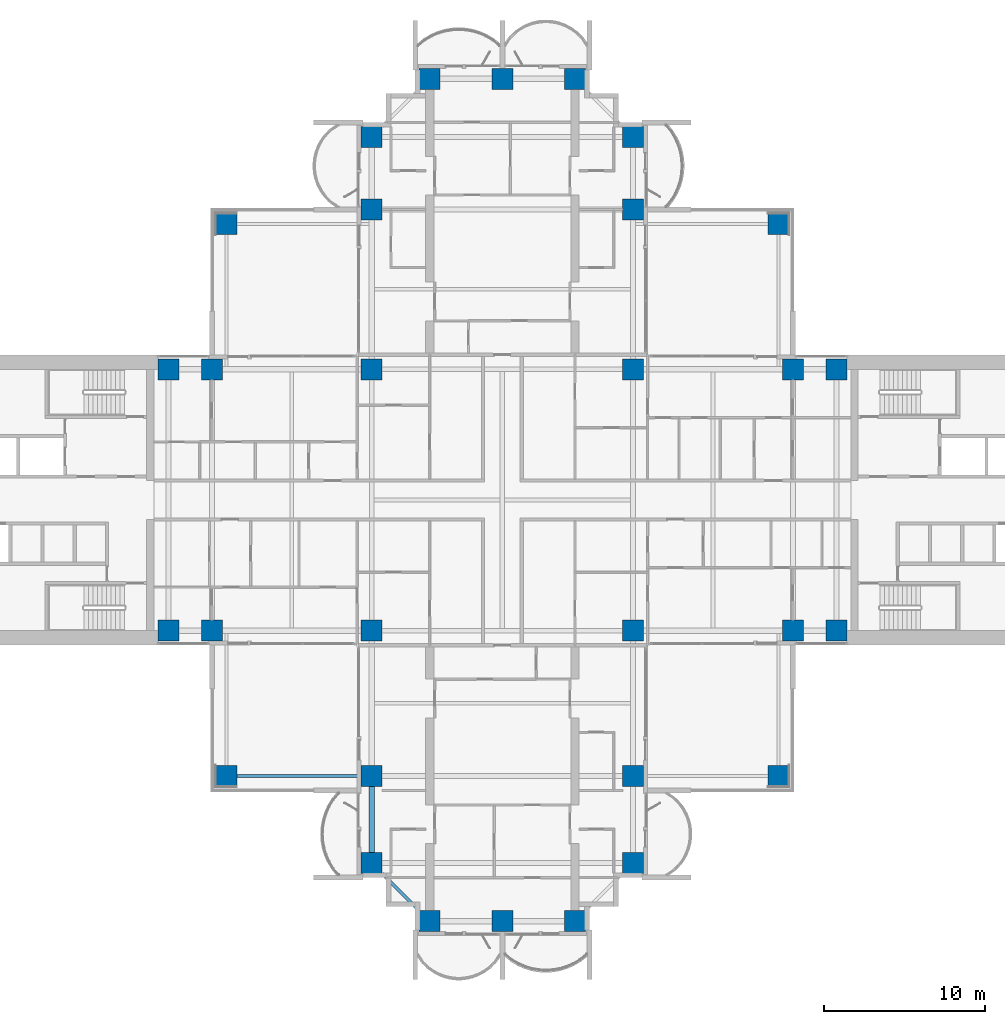
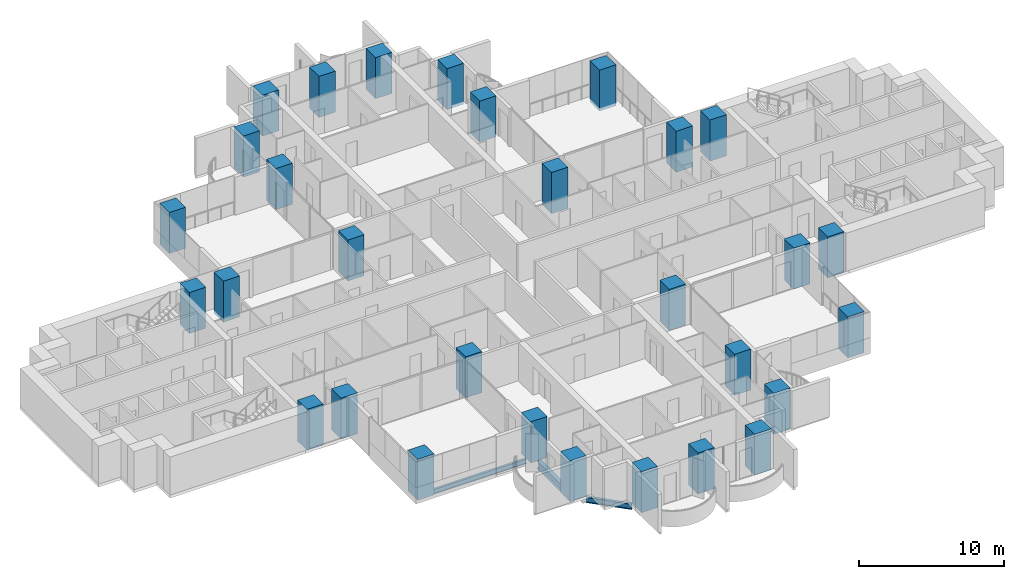
# One storey, part 1 of 21: 30 columns, 3 beams.
"""IFC4 building model written with IfcOpenShell, lengths in metres."""

import ifcopenshell
import ifcopenshell.guid

model = None  # the IFC model being written
_history = None  # IfcOwnerHistory: only IFC2X3 demands one
_inside = {}  # id of a spatial element -> (the spatial element, [elements in it])
_under = {}  # id of a project, library or spatial element -> (it, [spatial elements below it])
_declared = {}  # id of a project -> (the project, [libraries it declares])
_typed = {}  # id of a type object -> (the type object, [elements of that type])
_made_of = {}  # id of a material, layer set ... -> (it, [elements and type objects made of it])


def new_model(schema):
    """Start an empty IFC model of exactly this schema.

    Asked for "IFC4X3", IfcOpenShell would pick the latest addendum, in which some entities
    have other attributes; the version numbers below select the first issue.
    IFC2X3 requires an IfcOwnerHistory on every rooted entity: one is made here for all.
    """
    global model, _history
    if schema == "IFC4X3":
        model = ifcopenshell.file(schema_version=(4, 3, 0, 0))
    else:
        model = ifcopenshell.file(schema=schema)
    _inside.clear()
    _under.clear()
    _declared.clear()
    _typed.clear()
    _made_of.clear()
    _history = None
    if model.schema == "IFC2X3":
        org = make("IfcOrganization", Name="unknown")
        user = make(
            "IfcPersonAndOrganization",
            ThePerson=make("IfcPerson", FamilyName="unknown"),
            TheOrganization=org,
        )
        app = make(
            "IfcApplication",
            ApplicationDeveloper=org,
            Version="unknown",
            ApplicationFullName="unknown",
            ApplicationIdentifier="unknown",
        )
        _history = make(
            "IfcOwnerHistory",
            OwningUser=user,
            OwningApplication=app,
            ChangeAction="ADDED",
            CreationDate=0,
        )
    return model


def make(cls, **values):
    """One entity of the class cls with the attributes given. An attribute that is None is left unset."""
    return model.create_entity(
        cls, **{name: value for name, value in values.items() if value is not None}
    )


def rooted(cls, **values):
    """An entity with a GlobalId (a new one), such as an element, a storey or a relation."""
    return make(cls, GlobalId=ifcopenshell.guid.new(), OwnerHistory=_history, **values)


def si_unit(unit_type, name, prefix=None):
    """IfcSIUnit, for example si_unit("LENGTHUNIT", "METRE", prefix="MILLI")."""
    return make("IfcSIUnit", UnitType=unit_type, Prefix=prefix, Name=name)


def assignment(units):
    """IfcUnitAssignment: the units of a project."""
    return None if units is None else make("IfcUnitAssignment", Units=units)


def point(xyz):
    """IfcCartesianPoint."""
    return None if xyz is None else make("IfcCartesianPoint", Coordinates=xyz)


def direction(xyz):
    """IfcDirection."""
    return None if xyz is None else make("IfcDirection", DirectionRatios=xyz)


def frame(location, z_axis=None, x_axis=None):
    """IfcAxis2Placement3D, a coordinate frame: its origin and axes. An axis left out is left unset."""
    return make(
        "IfcAxis2Placement3D",
        Location=point(location),
        Axis=direction(z_axis),
        RefDirection=direction(x_axis),
    )


def frame_2d(location, x_axis=None):
    """IfcAxis2Placement2D, a coordinate frame in the plane: its origin and x axis."""
    return make(
        "IfcAxis2Placement2D", Location=point(location), RefDirection=direction(x_axis)
    )


def origin():
    """The frame at (0, 0, 0) with its axes left unset."""
    return frame((0.0, 0.0, 0.0))


def origin_2d():
    """The frame at (0, 0) in the plane with its x axis left unset."""
    return frame_2d((0.0, 0.0))


def place(relative_to, where):
    """IfcLocalPlacement: puts the frame where relative to a parent placement (None: the world)."""
    return make(
        "IfcLocalPlacement", PlacementRelTo=relative_to, RelativePlacement=where
    )


def context(
    kind, dimensions, precision=None, world=None, true_north=None, identifier=None
):
    """IfcGeometricRepresentationContext, for example the 3D "Model" context."""
    return make(
        "IfcGeometricRepresentationContext",
        ContextIdentifier=identifier,
        ContextType=kind,
        CoordinateSpaceDimension=dimensions,
        Precision=precision,
        WorldCoordinateSystem=world,
        TrueNorth=true_north,
    )


def subcontext(parent, identifier, kind, view, scale=None):
    """IfcGeometricRepresentationSubContext, for example "Body" below "Model"."""
    return make(
        "IfcGeometricRepresentationSubContext",
        ContextIdentifier=identifier,
        ContextType=kind,
        ParentContext=parent,
        TargetScale=scale,
        TargetView=view,
    )


def project(units=None, contexts=None):
    """IfcProject with its units and contexts."""
    return rooted(
        "IfcProject",
        Name="project",
        RepresentationContexts=contexts,
        UnitsInContext=assignment(units),
    )


def spatial(cls, under=None, at=None, **own):
    """A site, building, storey or space (cls), placed at a placement, below another one or the project."""
    s = rooted(cls, ObjectPlacement=at, **own)
    if under is not None:
        _under.setdefault(under.id(), (under, []))[1].append(s)
    return s


def profile(cls, at=None, kind="AREA", **sizes):
    """A parametric profile (cls). Its sizes go by their IFC names, for example OverallWidth=200.0."""
    return make(cls, ProfileType=kind, Position=at, **sizes)


def rectangle(**sizes):
    """IfcRectangleProfileDef."""
    return profile("IfcRectangleProfileDef", **sizes)


def i_section(**sizes):
    """IfcIShapeProfileDef."""
    return profile("IfcIShapeProfileDef", **sizes)


def extrude(swept, where, along, depth):
    """IfcExtrudedAreaSolid: the profile swept, set in the frame where, extruded along a direction by depth."""
    return make(
        "IfcExtrudedAreaSolid",
        SweptArea=swept,
        Position=where,
        ExtrudedDirection=direction(along),
        Depth=depth,
    )


def shape(context_of_items, identifier, shape_type, items):
    """IfcShapeRepresentation: the items that make up one representation, for example the "Body"."""
    return make(
        "IfcShapeRepresentation",
        ContextOfItems=context_of_items,
        RepresentationIdentifier=identifier,
        RepresentationType=shape_type,
        Items=items,
    )


def material(Name=None, Category=None):
    """IfcMaterial."""
    return make("IfcMaterial", Name=Name, Category=Category)


def material_profile(
    of_material, cross_section, Name=None, Category=None, Priority=None
):
    """IfcMaterialProfile: a cross section and its material."""
    return make(
        "IfcMaterialProfile",
        Name=Name,
        Material=of_material,
        Profile=cross_section,
        Priority=Priority,
        Category=Category,
    )


def profile_set(profiles, Name=None, composite=None):
    """IfcMaterialProfileSet."""
    return make(
        "IfcMaterialProfileSet",
        Name=Name,
        MaterialProfiles=profiles,
        CompositeProfile=composite,
    )


def made_of(thing, what):
    """Note that an element or type object is made of a material, layer set ...; save() writes the relation."""
    if what is not None:
        _made_of.setdefault(what.id(), (what, []))[1].append(thing)
    return thing


def type_object(cls, material=None, **own):
    """A type object (cls), such as IfcWallType, which elements share."""
    return made_of(rooted(cls, **own), material)


def element(
    cls,
    number,
    at=None,
    inside=None,
    cuts=None,
    type_object=None,
    material=None,
    context=None,
    identifier="Body",
    shape_type=None,
    held_by="IfcProductDefinitionShape",
    body=None,
    shapes=None,
    **own,
):
    """One element of the class cls, such as IfcWall. Its Tag is "e" and its number.

    at: its placement. inside: the storey or other place that contains it. cuts: it is an
    opening in that element (IfcRelVoidsElement). A single representation is given by context,
    identifier, shape_type and body (its items); several are given by shapes. held_by: the class
    of the entity that holds the representations. save() writes the other relations.
    """
    e = rooted(cls, Tag="e%d" % number, ObjectPlacement=at, **own)
    if body is not None:
        shapes = [shape(context, identifier, shape_type, body)]
    if shapes is not None:
        e.Representation = make(held_by, Representations=shapes)
    if inside is not None:
        _inside.setdefault(inside.id(), (inside, []))[1].append(e)
    if cuts is not None:
        rooted(
            "IfcRelVoidsElement", RelatingBuildingElement=cuts, RelatedOpeningElement=e
        )
    if type_object is not None:
        _typed.setdefault(type_object.id(), (type_object, []))[1].append(e)
    return made_of(e, material)


def aggregate(whole, parts):
    """IfcRelAggregates: a whole, such as a stair, and the parts it consists of."""
    return rooted("IfcRelAggregates", RelatingObject=whole, RelatedObjects=parts)


def save(model, path):
    """Write the relations noted so far, then the file.

    IfcRelAggregates (storeys below a building ...), IfcRelContainedInSpatialStructure (elements
    in a storey), IfcRelDefinesByType, IfcRelAssociatesMaterial and IfcRelDeclares: one each for
    every whole, place, type object, material and project.
    """
    for whole, parts in _under.values():
        aggregate(whole, parts)
    for where, things in _inside.values():
        rooted(
            "IfcRelContainedInSpatialStructure",
            RelatedElements=things,
            RelatingStructure=where,
        )
    for kind, things in _typed.values():
        rooted("IfcRelDefinesByType", RelatedObjects=things, RelatingType=kind)
    for what, things in _made_of.values():
        rooted("IfcRelAssociatesMaterial", RelatedObjects=things, RelatingMaterial=what)
    for by, libraries in _declared.values():
        rooted("IfcRelDeclares", RelatingContext=by, RelatedDefinitions=libraries)
    model.write(path)


model = new_model("IFC4")

# Units and contexts
model_context = context("Model", 3, precision=1e-05, world=origin(), true_north=direction((0.0, 1.0)))
body_context = subcontext(model_context, "Body", "Model", "MODEL_VIEW")
ifc_project = project(units=[si_unit("LENGTHUNIT", "METRE"), si_unit("AREAUNIT", "SQUARE_METRE"), si_unit("VOLUMEUNIT", "CUBIC_METRE"), si_unit("PLANEANGLEUNIT", "RADIAN"), si_unit("MASSUNIT", "GRAM", prefix="KILO")], contexts=[model_context])

# Site, building, storey
site_placement = place(None, origin())
site = spatial("IfcSite", under=ifc_project, at=site_placement, CompositionType="ELEMENT")
building_placement = place(site_placement, origin())
building = spatial("IfcBuilding", under=site, at=building_placement, Name="Perihelion Cross Residences", CompositionType="ELEMENT")
storey_placement = place(building_placement, frame((0.0, 0.0, 89.0)))
storey = spatial("IfcBuildingStorey", under=building, at=storey_placement, Name="L20", CompositionType="ELEMENT", Elevation=89.0)

# Columns
ifc_material_1 = material(Name="Concrete C70/85", Category="concrete")
ifc_material_profile_1 = material_profile(ifc_material_1, rectangle(XDim=1.300048828125, YDim=1.300048828125, at=origin_2d()), Name="RC 1300x1300")
ifc_profile_set_1 = profile_set([ifc_material_profile_1], Name="Concrete C70/85")
column_type = type_object("IfcColumnType", Name="Reinforced concrete column 1300x1300 C70/85", PredefinedType="COLUMN", material=ifc_profile_set_1)
for number, where, z_axis, x_axis, name in (
    (1, (-20.699951171875, -8.10009765625, -0.25), (0.0, 0.0, 1.0), (1.0, 0.0, 0.0), "Column C017 L20 no. 1"),
    (2, (-20.699951171875, 8.10009765625, -0.25), (0.0, 0.0, 1.0), (1.0, 0.0, 0.0), "Column C010 L20 no. 1"),
    (3, (-18.0, -8.10009765625, -0.25), (0.0, 0.0, 1.0), (1.0, 0.0, 0.0), "Column C018 L20 no. 1"),
    (4, (-18.0, 8.10009765625, -0.25), (0.0, 0.0, 1.0), (1.0, 0.0, 0.0), "Column C011 L20 no. 1"),
    (5, (-8.10009765625, -22.5, -0.25), (0.0, 0.0, 1.0), (1.0, 0.0, 0.0), "Column C040 L20 no. 1"),
    (6, (-8.10009765625, -17.10009765625, -0.25), (0.0, 0.0, 1.0), (1.0, 0.0, 0.0), "Column C031 L20 no. 1"),
    (7, (-8.10009765625, -8.10009765625, -0.25), (0.0, 0.0, 1.0), (1.0, 0.0, 0.0), "Column C019 L20 no. 1"),
    (8, (-8.10009765625, 8.10009765625, -0.25), (0.0, 0.0, 1.0), (1.0, 0.0, 0.0), "Column C012 L20 no. 1"),
    (9, (-8.10009765625, 18.0, -0.25), (0.0, 0.0, 1.0), (1.0, 0.0, 0.0), "Column C006 L20 no. 1"),
    (10, (-8.10009765625, 22.5, -0.25), (0.0, 0.0, 1.0), (1.0, 0.0, 0.0), "Column C004 L20 no. 1"),
    (11, (-4.5, -26.10009765625, -0.25), (0.0, 0.0, 1.0), (1.0, 0.0, 0.0), "Column C042 L20 no. 1"),
    (12, (-4.5, 26.10009765625, -0.25), (0.0, 0.0, 1.0), (1.0, 0.0, 0.0), "Column C001 L20 no. 1"),
    (13, (0.0, -26.10009765625, -0.25), (0.0, 0.0, 1.0), (1.0, 0.0, 0.0), "Column C043 L20 no. 1"),
    (14, (0.0, 26.10009765625, -0.25), (0.0, 0.0, 1.0), (1.0, 0.0, 0.0), "Column C002 L20 no. 1"),
    (15, (4.5, -26.10009765625, -0.25), (0.0, 0.0, 1.0), (1.0, 0.0, 0.0), "Column C044 L20 no. 1"),
    (16, (4.5, 26.10009765625, -0.25), (0.0, 0.0, 1.0), (1.0, 0.0, 0.0), "Column C003 L20 no. 1"),
    (17, (8.10009765625, -22.5, -0.25), (0.0, 0.0, 1.0), (1.0, 0.0, 0.0), "Column C041 L20 no. 1"),
    (18, (8.10009765625, -17.10009765625, -0.25), (0.0, 0.0, 1.0), (1.0, 0.0, 0.0), "Column C035 L20 no. 1"),
    (19, (8.10009765625, -8.10009765625, -0.25), (0.0, 0.0, 1.0), (1.0, 0.0, 0.0), "Column C020 L20 no. 1"),
    (20, (8.10009765625, 8.10009765625, -0.25), (0.0, 0.0, 1.0), (1.0, 0.0, 0.0), "Column C014 L20 no. 1"),
    (21, (8.10009765625, 18.0, -0.25), (0.0, 0.0, 1.0), (1.0, 0.0, 0.0), "Column C007 L20 no. 1"),
    (22, (8.10009765625, 22.5, -0.25), (0.0, 0.0, 1.0), (1.0, 0.0, 0.0), "Column C005 L20 no. 1"),
    (23, (18.0, -8.10009765625, -0.25), (0.0, 0.0, 1.0), (1.0, 0.0, 0.0), "Column C021 L20 no. 1"),
    (24, (18.0, 8.10009765625, -0.25), (0.0, 0.0, 1.0), (1.0, 0.0, 0.0), "Column C015 L20 no. 1"),
    (25, (20.699951171875, -8.10009765625, -0.25), (0.0, 0.0, 1.0), (1.0, 0.0, 0.0), "Column C022 L20 no. 1"),
    (26, (20.699951171875, 8.10009765625, -0.25), (0.0, 0.0, 1.0), (1.0, 0.0, 0.0), "Column C016 L20 no. 1"),
    (27, (17.10009765625, 17.10009765625, -0.25), (0.0, 0.0, 1.0), (1.0, 0.0, 0.0), "Column C009 L20 no. 1"),
    (28, (-17.10009765625, 17.10009765625, -0.25), (0.0, 0.0, 1.0), (1.0, 0.0, 0.0), "Column C008 L20 no. 1"),
    (29, (-17.10009765625, -17.10009765625, -0.25), (0.0, 0.0, 1.0), (1.0, 0.0, 0.0), "Column C030 L20 no. 1"),
    (30, (17.10009765625, -17.10009765625, -0.25), (0.0, 0.0, 1.0), (1.0, 0.0, 0.0), "Column C036 L20 no. 1"),
):
    element("IfcColumn", number, at=place(storey_placement, frame(where, z_axis=z_axis, x_axis=x_axis)), inside=storey, type_object=column_type, Name=name, PredefinedType="COLUMN", context=body_context, shape_type="SweptSolid", body=[
        extrude(rectangle(XDim=1.300048828125, YDim=1.300048828125, at=origin_2d()), origin(), (0.0, 0.0, 1.0), 3.449951171875),
    ])

# Beams
ifc_material_2 = material(Name="Steel S355", Category="steel")
ifc_material_profile_2 = material_profile(ifc_material_2, i_section(OverallWidth=0.177978515625, OverallDepth=0.406005859375, WebThickness=0.0078125, FlangeThickness=0.0126953125, at=origin_2d()), Name="W410x60")
ifc_profile_set_2 = profile_set([ifc_material_profile_2], Name="Steel S355")
beam_type_1 = type_object("IfcBeamType", Name="Core edge beam W410x60", PredefinedType="BEAM", material=ifc_profile_set_2)
beam_1_placement = place(storey_placement, frame((-8.75, -17.10009765625, -0.452880859375), z_axis=(-1.0, 0.0, 0.0), x_axis=(0.0, -1.0, 0.0)))
element("IfcBeam", 31, at=beam_1_placement, inside=storey, type_object=beam_type_1, Name="Core edge beam TB2 L20 corner no. 2", PredefinedType="BEAM", context=body_context, shape_type="SweptSolid", body=[
    extrude(i_section(OverallWidth=0.177978515625, OverallDepth=0.406005859375, WebThickness=0.0078125, FlangeThickness=0.0126953125, at=origin_2d()), origin(), (0.0, 0.0, 1.0), 7.699951171875),
])
ifc_material_3 = material(Name="Steel S355", Category="steel")
ifc_material_profile_3 = material_profile(ifc_material_3, i_section(OverallWidth=0.324951171875, OverallDepth=0.616943359375, WebThickness=0.013916015625, FlangeThickness=0.021484375, at=origin_2d()), Name="W610x174")
ifc_profile_set_3 = profile_set([ifc_material_profile_3], Name="Steel S355")
beam_type_2 = type_object("IfcBeamType", Name="Edge beam W610x174", PredefinedType="SPANDREL", material=ifc_profile_set_3)
beam_2_placement = place(storey_placement, frame((-8.10009765625, -17.75, -0.55859375), z_axis=(0.0, -1.0, 0.0), x_axis=(1.0, 0.0, 0.0)))
element("IfcBeam", 32, at=beam_2_placement, inside=storey, type_object=beam_type_2, Name="Edge beam SB2 L20 no. 5", PredefinedType="SPANDREL", context=body_context, shape_type="SweptSolid", body=[
    extrude(i_section(OverallWidth=0.324951171875, OverallDepth=0.616943359375, WebThickness=0.013916015625, FlangeThickness=0.021484375, at=origin_2d()), origin(), (0.0, 0.0, 1.0), 4.10009765625),
])
ifc_material_4 = material(Name="Steel S355", Category="steel")
ifc_material_profile_4 = material_profile(ifc_material_4, i_section(OverallWidth=0.194091796875, OverallDepth=0.469970703125, WebThickness=0.0126953125, FlangeThickness=0.0205078125, at=origin_2d()), Name="W460x106")
ifc_profile_set_4 = profile_set([ifc_material_profile_4], Name="Steel S355")
beam_type_3 = type_object("IfcBeamType", Name="Serration edge beam W460x106", PredefinedType="BEAM", material=ifc_profile_set_4)
beam_3_placement = place(storey_placement, frame((-7.449951171875, -23.14990234375, -0.485107421875), z_axis=(0.707106781187, -0.707106781187, 0.0), x_axis=(0.707106781187, 0.707106781187, 0.0)))
element("IfcBeam", 33, at=beam_3_placement, inside=storey, type_object=beam_type_3, Name="Serration edge beam EB2 L20 no. 2", PredefinedType="BEAM", context=body_context, shape_type="SweptSolid", body=[
    extrude(i_section(OverallWidth=0.194091796875, OverallDepth=0.469970703125, WebThickness=0.0126953125, FlangeThickness=0.0205078125, at=origin_2d()), origin(), (0.0, 0.0, 1.0), 3.252685546875),
])

save(model, "model.ifc")
